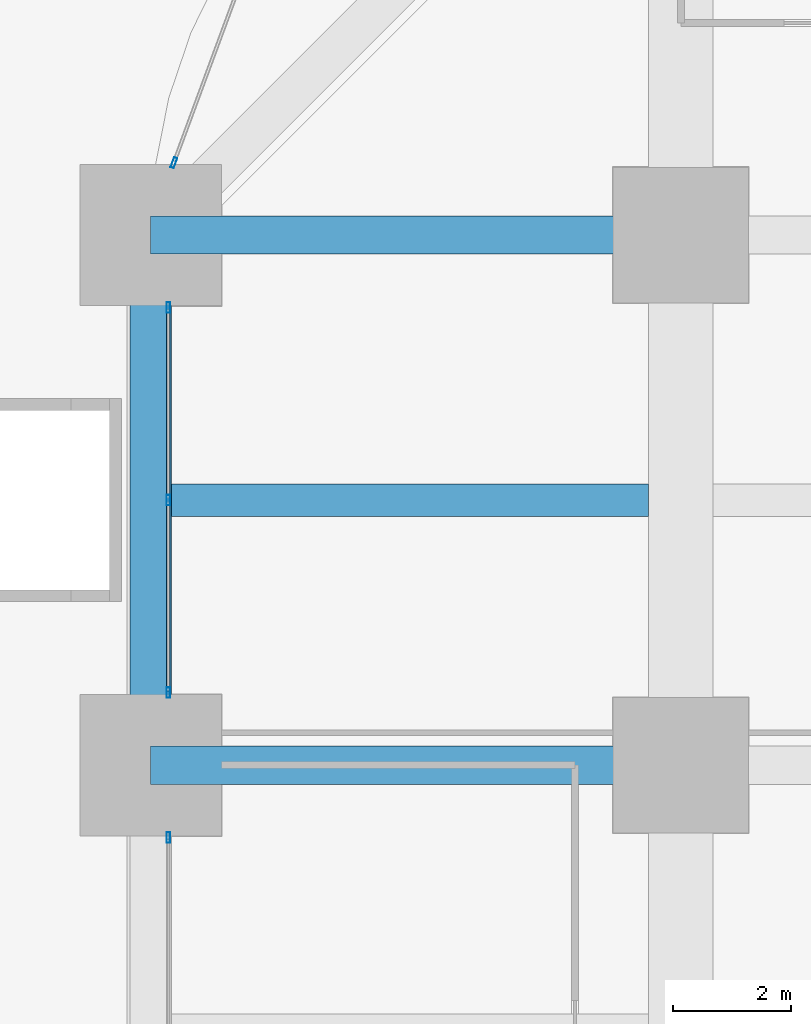
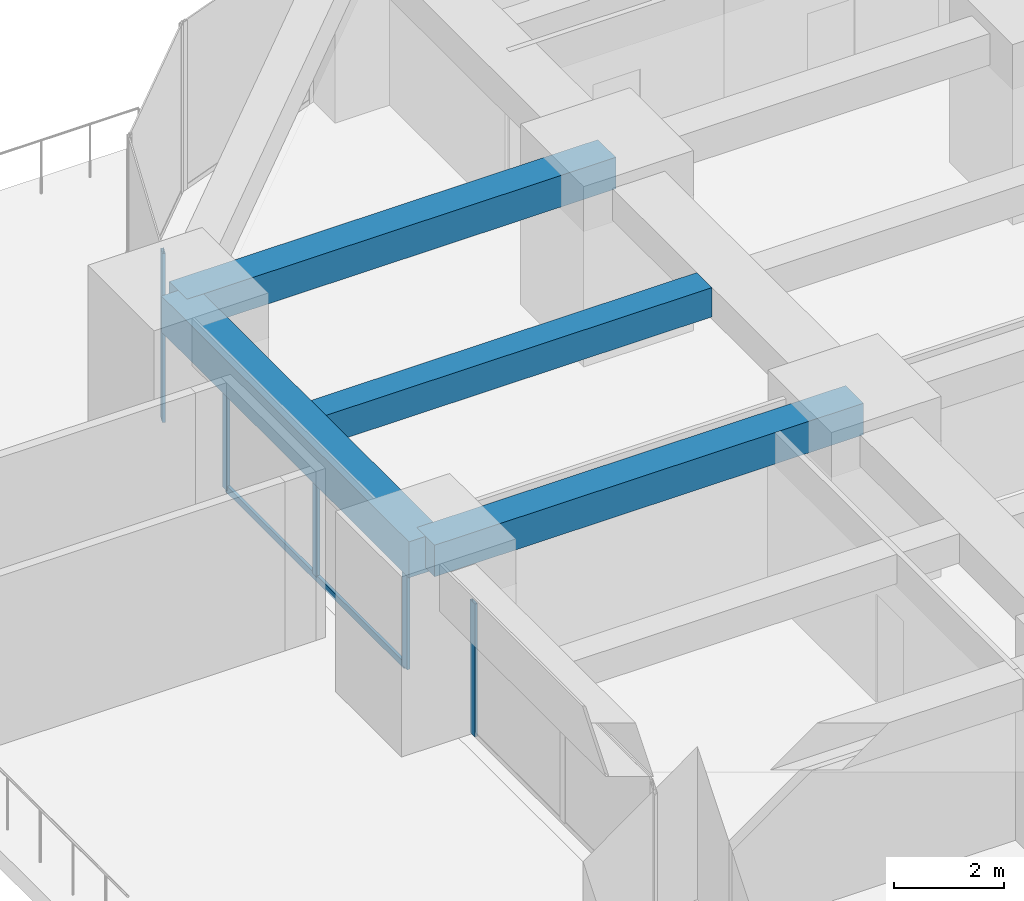
# One storey, part 15 of 38: 6 members, 4 beams, 3 elements without a shape of their own.
"""IFC4 building model written with IfcOpenShell, lengths in metres."""

from ifc_helpers import new_model, si_unit, direction, frame, origin, origin_2d, place, context, subcontext, project, spatial, rectangle, hollow_rectangle, extrude, material, material_profile, profile_set, type_object, element, aggregate, save


model = new_model("IFC4")

# Units and contexts
model_context = context("Model", 3, precision=1e-05, world=origin(), true_north=direction((0.0, 1.0)))
body_context = subcontext(model_context, "Body", "Model", "MODEL_VIEW")
ifc_project = project(units=[si_unit("LENGTHUNIT", "METRE"), si_unit("AREAUNIT", "SQUARE_METRE"), si_unit("VOLUMEUNIT", "CUBIC_METRE"), si_unit("PLANEANGLEUNIT", "RADIAN"), si_unit("MASSUNIT", "GRAM", prefix="KILO")], contexts=[model_context])

# Site, building, storey
site_placement = place(None, origin())
site = spatial("IfcSite", under=ifc_project, at=site_placement, CompositionType="ELEMENT")
building_placement = place(site_placement, origin())
building = spatial("IfcBuilding", under=site, at=building_placement, Name="Zorevar Civic Tower", CompositionType="ELEMENT")
storey_placement = place(building_placement, frame((0.0, 0.0, 15.800048828125)))
storey = spatial("IfcBuildingStorey", under=building, at=storey_placement, Name="L03", CompositionType="ELEMENT", Elevation=15.800048828125)

# Beams
ifc_material_1 = material(Name="Concrete C50/60", Category="concrete")
ifc_material_profile_1 = material_profile(ifc_material_1, rectangle(XDim=0.550048828125, YDim=0.64990234375, at=origin_2d()), Name="RC 550x650")
ifc_profile_set_1 = profile_set([ifc_material_profile_1], Name="Concrete C50/60")
beam_type_1 = type_object("IfcBeamType", Name="Beam RC 550x650", PredefinedType="BEAM", material=ifc_profile_set_1)
beam_1_placement = place(storey_placement, frame((0.35009765625, 40.5, 3.425048828125), z_axis=(1.0, 0.0, 0.0), x_axis=(0.0, 1.0, 0.0)))
element("IfcBeam", 1, at=beam_1_placement, inside=storey, type_object=beam_type_1, Name="Secondary beam L04", PredefinedType="BEAM", context=body_context, shape_type="SweptSolid", body=[
    extrude(rectangle(XDim=0.550048828125, YDim=0.64990234375, at=origin_2d()), origin(), (0.0, 0.0, 1.0), 8.099853515625),
])
ifc_material_2 = material(Name="Concrete C50/60", Category="concrete")
ifc_material_profile_2 = material_profile(ifc_material_2, rectangle(XDim=0.64990234375, YDim=0.699951171875, at=origin_2d()), Name="RC 650x700")
ifc_profile_set_2 = profile_set([ifc_material_profile_2], Name="Concrete C50/60")
beam_type_2 = type_object("IfcBeamType", Name="Beam RC 650x700", PredefinedType="BEAM", material=ifc_profile_set_2)
for number, where, z_axis, x_axis, name in (
    (2, (0.0, 36.0, 3.39990234375), (1.0, 0.0, 0.0), (0.0, 1.0, 0.0), "Girder L04"),
    (3, (0.0, 45.0, 3.39990234375), (1.0, 0.0, 0.0), (0.0, 1.0, 0.0), "Girder L04"),
):
    element("IfcBeam", number, at=place(storey_placement, frame(where, z_axis=z_axis, x_axis=x_axis)), inside=storey, type_object=beam_type_2, Name=name, PredefinedType="BEAM", context=body_context, shape_type="SweptSolid", body=[
        extrude(rectangle(XDim=0.64990234375, YDim=0.699951171875, at=origin_2d()), origin(), (0.0, 0.0, 1.0), 9.0),
    ])

# Curtain wall, member
ifc_material_3 = material(Name="Dark grey solar-control glass in black aluminium frame", Category="aluminium")
curtain_wall_type = type_object("IfcCurtainWallType", Name="Curtain wall CW2 low zone", PredefinedType="NOTDEFINED", material=ifc_material_3)
curtain_wall_1_placement = place(storey_placement, origin())
curtain_wall_1 = element("IfcCurtainWall", 4, at=curtain_wall_1_placement, inside=storey, type_object=curtain_wall_type, Name="CW2 L03", PredefinedType="NOTDEFINED")
ifc_material_4 = material(Name="Aluminium, black anodised", Category="aluminium")
ifc_material_profile_3 = material_profile(ifc_material_4, hollow_rectangle(XDim=0.06005859375, YDim=0.179931640625, WallThickness=0.00390625, at=origin_2d()), Name="AL 180x60x4")
ifc_profile_set_3 = profile_set([ifc_material_profile_3], Name="Aluminium, black anodised")
member_type_1 = type_object("IfcMemberType", Name="CW2 mullion AL 180x60x4", PredefinedType="MULLION", material=ifc_profile_set_3)
member_1_placement = place(storey_placement, frame((0.300048828125, 34.77001953125, 0.0), z_axis=(0.0, 0.0, 1.0), x_axis=(-1.0, 0.0, 0.0)))
member_1 = element("IfcMember", 5, at=member_1_placement, type_object=member_type_1, Name="CW2 mullion 3", PredefinedType="MULLION", context=body_context, shape_type="SweptSolid", body=[
    extrude(hollow_rectangle(XDim=0.06005859375, YDim=0.179931640625, WallThickness=0.00390625, at=origin_2d()), origin(), (0.0, 0.0, 1.0), 2.949951171875),
])
aggregate(curtain_wall_1, [member_1])

# Curtain wall, members
curtain_wall_2_placement = place(storey_placement, origin())
curtain_wall_2 = element("IfcCurtainWall", 6, at=curtain_wall_2_placement, inside=storey, type_object=curtain_wall_type, Name="CW2 L03", PredefinedType="NOTDEFINED")
member_2_placement = place(storey_placement, frame((0.300048828125, 37.22998046875, 0.0), z_axis=(0.0, 0.0, 1.0), x_axis=(-1.0, 0.0, 0.0)))
member_2 = element("IfcMember", 7, at=member_2_placement, type_object=member_type_1, Name="CW2 mullion 1", PredefinedType="MULLION", context=body_context, shape_type="SweptSolid", body=[
    extrude(hollow_rectangle(XDim=0.06005859375, YDim=0.179931640625, WallThickness=0.00390625, at=origin_2d()), origin(), (0.0, 0.0, 1.0), 2.949951171875),
])
member_3_placement = place(storey_placement, frame((0.300048828125, 40.5, 0.06005859375), z_axis=(0.0, 0.0, 1.0), x_axis=(-1.0, 0.0, 0.0)))
member_3 = element("IfcMember", 8, at=member_3_placement, type_object=member_type_1, Name="CW2 mullion 2", PredefinedType="MULLION", context=body_context, shape_type="SweptSolid", body=[
    extrude(hollow_rectangle(XDim=0.06005859375, YDim=0.179931640625, WallThickness=0.00390625, at=origin_2d()), origin(), (0.0, 0.0, 1.0), 2.889892578125),
])
member_4_placement = place(storey_placement, frame((0.300048828125, 43.77001953125, 0.0), z_axis=(0.0, 0.0, 1.0), x_axis=(-1.0, 0.0, 0.0)))
member_4 = element("IfcMember", 9, at=member_4_placement, type_object=member_type_1, Name="CW2 mullion 3", PredefinedType="MULLION", context=body_context, shape_type="SweptSolid", body=[
    extrude(hollow_rectangle(XDim=0.06005859375, YDim=0.179931640625, WallThickness=0.00390625, at=origin_2d()), origin(), (0.0, 0.0, 1.0), 2.949951171875),
])

# Curtain wall, member
curtain_wall_3_placement = place(storey_placement, origin())
curtain_wall_3 = element("IfcCurtainWall", 10, at=curtain_wall_3_placement, inside=storey, type_object=curtain_wall_type, Name="CW2 L03", PredefinedType="NOTDEFINED")
member_5_placement = place(storey_placement, frame((0.3935546875, 46.22802734375, 0.0), z_axis=(0.0, 0.0, 1.0), x_axis=(0.937974588163, -0.346704012033, 0.0)))
member_5 = element("IfcMember", 11, at=member_5_placement, type_object=member_type_1, Name="CW2 mullion 2", PredefinedType="MULLION", context=body_context, shape_type="SweptSolid", body=[
    extrude(hollow_rectangle(XDim=0.06005859375, YDim=0.179931640625, WallThickness=0.00390625, at=origin_2d()), origin(), (0.0, 0.0, 1.0), 3.75),
])
aggregate(curtain_wall_3, [member_5])

# Member
ifc_material_5 = material(Name="Aluminium, black anodised", Category="aluminium")
ifc_material_profile_4 = material_profile(ifc_material_5, hollow_rectangle(XDim=0.06005859375, YDim=0.14990234375, WallThickness=0.00390625, at=origin_2d()), Name="AL 150x60x4")
ifc_profile_set_4 = profile_set([ifc_material_profile_4], Name="Aluminium, black anodised")
member_type_2 = type_object("IfcMemberType", Name="CW2 transom AL 150x60x4", PredefinedType="USERDEFINED", material=ifc_profile_set_4)
member_6_placement = place(storey_placement, frame((0.300048828125, 37.260009765625, 0.030029296875), z_axis=(0.0, 1.0, 0.0), x_axis=(-1.0, 0.0, 0.0)))
member_6 = element("IfcMember", 12, at=member_6_placement, type_object=member_type_2, Name="CW2 sill transom", ObjectType="TRANSOM", PredefinedType="USERDEFINED", context=body_context, shape_type="SweptSolid", body=[
    extrude(hollow_rectangle(XDim=0.06005859375, YDim=0.14990234375, WallThickness=0.00390625, at=origin_2d()), origin(), (0.0, 0.0, 1.0), 6.47998046875),
])

aggregate(curtain_wall_2, [member_2, member_3, member_4, member_6])

# Beam
ifc_material_6 = material(Name="Concrete C50/60", Category="concrete")
ifc_material_profile_5 = material_profile(ifc_material_6, rectangle(XDim=0.699951171875, YDim=0.800048828125, at=origin_2d()), Name="RC 700x800")
ifc_profile_set_5 = profile_set([ifc_material_profile_5], Name="Concrete C50/60")
beam_type_3 = type_object("IfcBeamType", Name="Edge beam RC 700x800", PredefinedType="SPANDREL", material=ifc_profile_set_5)
beam_2_placement = place(storey_placement, frame((0.0, 36.0, 3.349853515625), z_axis=(0.0, 1.0, 0.0), x_axis=(-1.0, 0.0, 0.0)))
element("IfcBeam", 13, at=beam_2_placement, inside=storey, type_object=beam_type_3, Name="Edge beam L04", PredefinedType="SPANDREL", context=body_context, shape_type="SweptSolid", body=[
    extrude(rectangle(XDim=0.699951171875, YDim=0.800048828125, at=origin_2d()), origin(), (0.0, 0.0, 1.0), 9.0),
])

save(model, "model.ifc")
